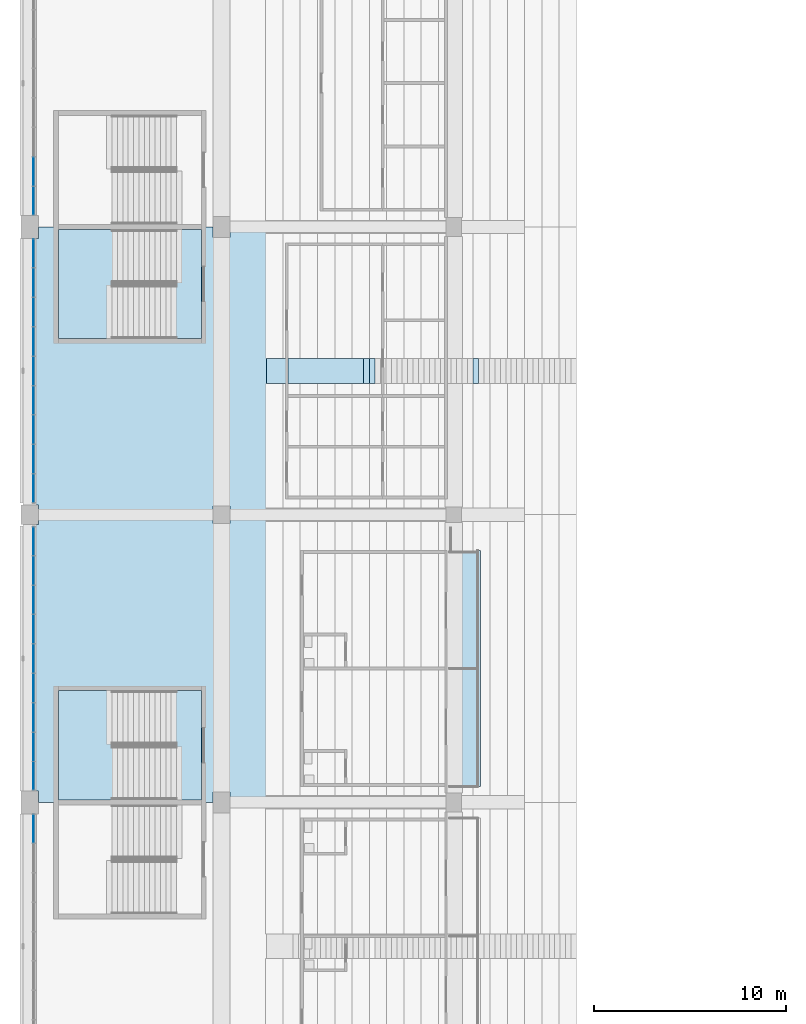
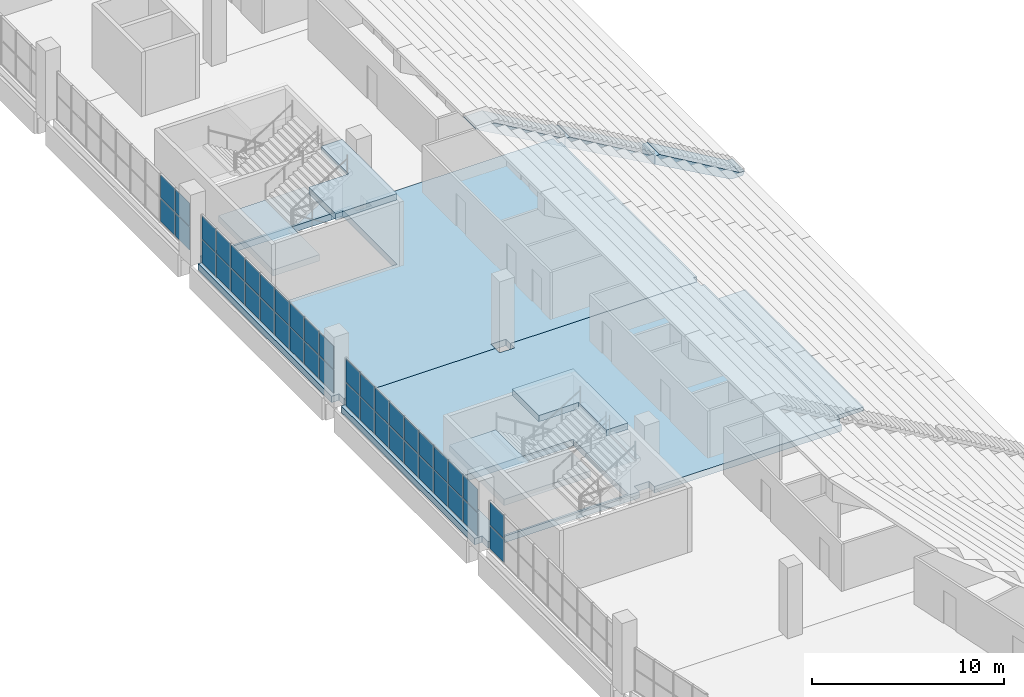
# One storey, part 68 of 249: 42 plates, 10 slabs, 6 elements without a shape of their own.
"""IFC4 building model written with IfcOpenShell, lengths in metres."""

from ifc_helpers import new_model, si_unit, direction, frame, origin, origin_2d, place, context, subcontext, project, spatial, polyline, rectangle, outline, extrude, material, layer, layer_set, type_object, element, aggregate, save


model = new_model("IFC4")

# Units and contexts
model_context = context("Model", 3, precision=1e-05, world=origin(), true_north=direction((0.0, 1.0)))
body_context = subcontext(model_context, "Body", "Model", "MODEL_VIEW")
ifc_project = project(units=[si_unit("LENGTHUNIT", "METRE"), si_unit("AREAUNIT", "SQUARE_METRE"), si_unit("VOLUMEUNIT", "CUBIC_METRE"), si_unit("PLANEANGLEUNIT", "RADIAN"), si_unit("MASSUNIT", "GRAM", prefix="KILO")], contexts=[model_context])

# Site, building, storey
site_placement = place(None, origin())
site = spatial("IfcSite", under=ifc_project, at=site_placement, CompositionType="ELEMENT")
building_placement = place(site_placement, origin())
building = spatial("IfcBuilding", under=site, at=building_placement, Name="Ogive Plaza Stadium", CompositionType="ELEMENT")
storey_placement = place(building_placement, frame((0.0, 0.0, 13.5)))
storey = spatial("IfcBuildingStorey", under=building, at=storey_placement, Name="L03", CompositionType="ELEMENT", Elevation=13.5)

# Slabs
ifc_material_1 = material(Name="Concrete C40/50", Category="concrete")
ifc_layer_1 = layer(ifc_material_1, 0.73486328125)
ifc_layer_set_1 = layer_set([ifc_layer_1], Name="Concrete C40/50")
ifc_layer_2 = layer(ifc_material_1, 0.449951171875)
ifc_layer_set_2 = layer_set([ifc_layer_2], Name="Concrete C40/50")
slab_type_1 = type_object("IfcSlabType", Name="Aisle stair slab 1300", PredefinedType="USERDEFINED", material=ifc_layer_set_2)
slab_1_placement = place(storey_placement, frame((-55.5, -15.0, -13.5), z_axis=(0.0, 0.0, 1.0), x_axis=(-1.0, 0.0, 0.0)))
element("IfcSlab", 1, at=slab_1_placement, inside=storey, type_object=slab_type_1, material=ifc_layer_set_1, Name="Aisle stair SA23U slab 1", ObjectType="AISLE STAIR SLAB", PredefinedType="USERDEFINED", context=body_context, shape_type="SweptSolid", body=[
    extrude(outline(polyline([(0.0, 14.0), (0.2958984375, 14.0), (5.10009765625, 16.825927734375), (5.39990234375, 16.825927734375), (5.39990234375, 16.300048828125), (5.359375, 16.27734375), (5.209228515625, 16.194091796875), (5.059326171875, 16.110595703125), (4.9091796875, 16.02734375), (4.75927734375, 15.944091796875), (4.609375, 15.860595703125), (4.459228515625, 15.77734375), (4.309326171875, 15.694091796875), (4.1591796875, 15.610595703125), (4.00927734375, 15.52734375), (3.859375, 15.444091796875), (3.709228515625, 15.360595703125), (3.559326171875, 15.27734375), (3.4091796875, 15.194091796875), (3.25927734375, 15.110595703125), (3.109375, 15.02734375), (2.959228515625, 14.944091796875), (2.809326171875, 14.860595703125), (2.6591796875, 14.77734375), (2.50927734375, 14.694091796875), (2.359375, 14.610595703125), (2.209228515625, 14.52734375), (2.059326171875, 14.444091796875), (1.9091796875, 14.360595703125), (1.75927734375, 14.27734375), (1.609375, 14.194091796875), (1.459228515625, 14.110595703125), (1.309326171875, 14.02734375), (1.1591796875, 13.944091796875), (1.00927734375, 13.860595703125), (0.859375, 13.77734375), (0.709228515625, 13.75), (0.559326171875, 13.75), (0.4091796875, 13.75), (0.25927734375, 13.75), (0.109375, 13.75), (0.0, 14.0)])), frame((0.0, 0.64990234375, 0.0), z_axis=(0.0, -1.0, 0.0), x_axis=(1.0, 0.0, 0.0)), (0.0, 0.0, 1.0), 1.300048828125),
])
ifc_layer_3 = layer(ifc_material_1, 0.75927734375)
ifc_layer_set_3 = layer_set([ifc_layer_3], Name="Concrete C40/50")
slab_2_placement = place(storey_placement, frame((-60.89990234375, -15.0, -13.5), z_axis=(0.0, 0.0, 1.0), x_axis=(-1.0, 0.0, 0.0)))
element("IfcSlab", 2, at=slab_2_placement, inside=storey, type_object=slab_type_1, material=ifc_layer_set_3, Name="Aisle stair SA23U slab 2", ObjectType="AISLE STAIR SLAB", PredefinedType="USERDEFINED", context=body_context, shape_type="SweptSolid", body=[
    extrude(outline(polyline([(0.0, 17.0), (0.2958984375, 17.0), (5.10009765625, 19.825927734375), (5.39990234375, 19.825927734375), (5.39990234375, 19.300048828125), (5.25, 19.216796875), (5.10009765625, 19.13330078125), (4.949951171875, 19.050048828125), (4.800048828125, 18.966796875), (4.64990234375, 18.88330078125), (4.5, 18.800048828125), (4.35009765625, 18.716796875), (4.199951171875, 18.63330078125), (4.050048828125, 18.550048828125), (3.89990234375, 18.466796875), (3.75, 18.38330078125), (3.60009765625, 18.300048828125), (3.449951171875, 18.216796875), (3.300048828125, 18.13330078125), (3.14990234375, 18.050048828125), (3.0, 17.966796875), (2.85009765625, 17.88330078125), (2.699951171875, 17.800048828125), (2.550048828125, 17.716796875), (2.39990234375, 17.63330078125), (2.25, 17.550048828125), (2.10009765625, 17.466796875), (1.949951171875, 17.38330078125), (1.800048828125, 17.300048828125), (1.64990234375, 17.216796875), (1.5, 17.13330078125), (1.35009765625, 17.050048828125), (1.199951171875, 16.966796875), (1.050048828125, 16.88330078125), (0.89990234375, 16.800048828125), (0.75, 16.716796875), (0.60009765625, 16.63330078125), (0.449951171875, 16.550048828125), (0.300048828125, 16.466796875), (0.14990234375, 16.38330078125), (0.0, 16.300048828125), (0.0, 17.0)])), frame((0.0, 0.64990234375, 0.0), z_axis=(0.0, -1.0, 0.0), x_axis=(1.0, 0.0, 0.0)), (0.0, 0.0, 1.0), 1.300048828125),
])
ifc_layer_4 = layer(ifc_material_1, 1.08056640625)
ifc_layer_set_4 = layer_set([ifc_layer_4], Name="Concrete C40/50")
slab_3_placement = place(storey_placement, frame((-66.300048828125, -15.0, -13.5), z_axis=(0.0, 0.0, 1.0), x_axis=(-1.0, 0.0, 0.0)))
element("IfcSlab", 3, at=slab_3_placement, inside=storey, type_object=slab_type_1, material=ifc_layer_set_4, Name="Aisle stair SA23U slab 3", ObjectType="AISLE STAIR SLAB", PredefinedType="USERDEFINED", context=body_context, shape_type="SweptSolid", body=[
    extrude(outline(polyline([(0.0, 20.0), (0.2958984375, 20.0), (4.25, 22.325927734375), (5.35009765625, 22.325927734375), (5.35009765625, 22.272216796875), (5.25, 22.216796875), (5.10009765625, 22.13330078125), (4.949951171875, 22.050048828125), (4.800048828125, 21.966796875), (4.64990234375, 21.88330078125), (4.5, 21.800048828125), (4.35009765625, 21.716796875), (4.199951171875, 21.63330078125), (4.050048828125, 21.550048828125), (3.89990234375, 21.466796875), (3.75, 21.38330078125), (3.60009765625, 21.300048828125), (3.449951171875, 21.216796875), (3.300048828125, 21.13330078125), (3.14990234375, 21.050048828125), (3.0, 20.966796875), (2.85009765625, 20.88330078125), (2.699951171875, 20.800048828125), (2.550048828125, 20.716796875), (2.39990234375, 20.63330078125), (2.25, 20.550048828125), (2.10009765625, 20.466796875), (1.949951171875, 20.38330078125), (1.800048828125, 20.300048828125), (1.64990234375, 20.216796875), (1.5, 20.13330078125), (1.35009765625, 20.050048828125), (1.199951171875, 19.966796875), (1.050048828125, 19.88330078125), (0.89990234375, 19.800048828125), (0.75, 19.716796875), (0.60009765625, 19.63330078125), (0.449951171875, 19.550048828125), (0.300048828125, 19.466796875), (0.14990234375, 19.38330078125), (0.0, 19.300048828125), (0.0, 20.0)])), frame((0.0, 0.64990234375, 0.0), z_axis=(0.0, -1.0, 0.0), x_axis=(1.0, 0.0, 0.0)), (0.0, 0.0, 1.0), 1.300048828125),
])
ifc_material_2 = material(Name="Concrete C40/50", Category="concrete")
ifc_layer_5 = layer(ifc_material_2, 0.25)
ifc_layer_set_5 = layer_set([ifc_layer_5], Name="Concrete C40/50")
slab_type_2 = type_object("IfcSlabType", Name="Balcony slab 250", PredefinedType="FLOOR", material=ifc_layer_set_5)
slab_4_placement = place(storey_placement, frame((0.0, 0.0, -0.25)))
element("IfcSlab", 4, at=slab_4_placement, inside=storey, type_object=slab_type_2, Name="Suite terrace slab B22", PredefinedType="FLOOR", context=body_context, shape_type="SweptSolid", body=[
    extrude(outline(polyline([(-60.5, -24.375), (-62.10009765625, -24.375), (-62.10009765625, -36.675048828125), (-60.5, -36.675048828125), (-60.5, -24.375)])), origin(), (0.0, 0.0, 1.0), 0.25),
])

# Curtain wall, plates
ifc_material_3 = material(Name="Bronze-anodised aluminium with laminated glass", Category="aluminium")
curtain_wall_type = type_object("IfcCurtainWallType", Name="Lancet curtain wall", PredefinedType="NOTDEFINED", material=ifc_material_3)
curtain_wall_1_placement = place(storey_placement, origin())
curtain_wall_1 = element("IfcCurtainWall", 5, at=curtain_wall_1_placement, inside=storey, type_object=curtain_wall_type, Name="CURTAIN WALL B21 L03", PredefinedType="NOTDEFINED")
ifc_material_4 = material(Name="Laminated glass", Category="glass")
ifc_layer_6 = layer(ifc_material_4, 0.028076171875)
ifc_layer_set_6 = layer_set([ifc_layer_6], Name="Laminated glass panel 28")
plate_type = type_object("IfcPlateType", Name="Laminated glass panel 28", PredefinedType="CURTAIN_PANEL", material=ifc_layer_set_6)
plate_1_placement = place(storey_placement, frame((-83.800048828125, -38.879150390625, 0.0498046875), z_axis=(0.0, 0.0, 1.0), x_axis=(0.0, 1.0, 0.0)))
plate_1 = element("IfcPlate", 6, at=plate_1_placement, type_object=plate_type, Name="CW-B21-L03 panel 9.1", PredefinedType="CURTAIN_PANEL", context=body_context, shape_type="SweptSolid", body=[
    extrude(rectangle(XDim=1.458251953125, YDim=0.028076171875, at=origin_2d()), origin(), (0.0, 0.0, 1.0), 1.469970703125),
])
plate_2_placement = place(storey_placement, frame((-83.800048828125, -38.879150390625, 1.56982421875), z_axis=(0.0, 0.0, 1.0), x_axis=(0.0, 1.0, 0.0)))
plate_2 = element("IfcPlate", 7, at=plate_2_placement, type_object=plate_type, Name="CW-B21-L03 panel 9.2", PredefinedType="CURTAIN_PANEL", context=body_context, shape_type="SweptSolid", body=[
    extrude(rectangle(XDim=1.458251953125, YDim=0.028076171875, at=origin_2d()), origin(), (0.0, 0.0, 1.0), 1.469970703125),
])
aggregate(curtain_wall_1, [plate_1, plate_2])

curtain_wall_2_placement = place(storey_placement, origin())
curtain_wall_2 = element("IfcCurtainWall", 8, at=curtain_wall_2_placement, inside=storey, type_object=curtain_wall_type, Name="CURTAIN WALL B22 L03", PredefinedType="NOTDEFINED")
plate_3_placement = place(storey_placement, frame((-83.800048828125, -36.120849609375, 0.0498046875), z_axis=(0.0, 0.0, 1.0), x_axis=(0.0, 1.0, 0.0)))
plate_3 = element("IfcPlate", 9, at=plate_3_placement, type_object=plate_type, Name="CW-B22-L03 panel 1.1", PredefinedType="CURTAIN_PANEL", context=body_context, shape_type="SweptSolid", body=[
    extrude(rectangle(XDim=1.458251953125, YDim=0.028076171875, at=origin_2d()), origin(), (0.0, 0.0, 1.0), 1.469970703125),
])
plate_4_placement = place(storey_placement, frame((-83.800048828125, -36.120849609375, 1.56982421875), z_axis=(0.0, 0.0, 1.0), x_axis=(0.0, 1.0, 0.0)))
plate_4 = element("IfcPlate", 10, at=plate_4_placement, type_object=plate_type, Name="CW-B22-L03 panel 1.2", PredefinedType="CURTAIN_PANEL", context=body_context, shape_type="SweptSolid", body=[
    extrude(rectangle(XDim=1.458251953125, YDim=0.028076171875, at=origin_2d()), origin(), (0.0, 0.0, 1.0), 1.469970703125),
])
plate_5_placement = place(storey_placement, frame((-83.800048828125, -34.60009765625, 0.0498046875), z_axis=(0.0, 0.0, 1.0), x_axis=(0.0, 1.0, 0.0)))
plate_5 = element("IfcPlate", 11, at=plate_5_placement, type_object=plate_type, Name="CW-B22-L03 panel 2.1", PredefinedType="CURTAIN_PANEL", context=body_context, shape_type="SweptSolid", body=[
    extrude(rectangle(XDim=1.4833984375, YDim=0.028076171875, at=origin_2d()), origin(), (0.0, 0.0, 1.0), 1.469970703125),
])
plate_6_placement = place(storey_placement, frame((-83.800048828125, -34.60009765625, 1.56982421875), z_axis=(0.0, 0.0, 1.0), x_axis=(0.0, 1.0, 0.0)))
plate_6 = element("IfcPlate", 12, at=plate_6_placement, type_object=plate_type, Name="CW-B22-L03 panel 2.2", PredefinedType="CURTAIN_PANEL", context=body_context, shape_type="SweptSolid", body=[
    extrude(rectangle(XDim=1.4833984375, YDim=0.028076171875, at=origin_2d()), origin(), (0.0, 0.0, 1.0), 1.469970703125),
])
plate_7_placement = place(storey_placement, frame((-83.800048828125, -33.066650390625, 0.0498046875), z_axis=(0.0, 0.0, 1.0), x_axis=(0.0, 1.0, 0.0)))
plate_7 = element("IfcPlate", 13, at=plate_7_placement, type_object=plate_type, Name="CW-B22-L03 panel 3.1", PredefinedType="CURTAIN_PANEL", context=body_context, shape_type="SweptSolid", body=[
    extrude(rectangle(XDim=1.4833984375, YDim=0.028076171875, at=origin_2d()), origin(), (0.0, 0.0, 1.0), 1.469970703125),
])
plate_8_placement = place(storey_placement, frame((-83.800048828125, -33.066650390625, 1.56982421875), z_axis=(0.0, 0.0, 1.0), x_axis=(0.0, 1.0, 0.0)))
plate_8 = element("IfcPlate", 14, at=plate_8_placement, type_object=plate_type, Name="CW-B22-L03 panel 3.2", PredefinedType="CURTAIN_PANEL", context=body_context, shape_type="SweptSolid", body=[
    extrude(rectangle(XDim=1.4833984375, YDim=0.028076171875, at=origin_2d()), origin(), (0.0, 0.0, 1.0), 1.469970703125),
])
plate_9_placement = place(storey_placement, frame((-83.800048828125, -31.533447265625, 0.0498046875), z_axis=(0.0, 0.0, 1.0), x_axis=(0.0, 1.0, 0.0)))
plate_9 = element("IfcPlate", 15, at=plate_9_placement, type_object=plate_type, Name="CW-B22-L03 panel 4.1", PredefinedType="CURTAIN_PANEL", context=body_context, shape_type="SweptSolid", body=[
    extrude(rectangle(XDim=1.4833984375, YDim=0.028076171875, at=origin_2d()), origin(), (0.0, 0.0, 1.0), 1.469970703125),
])
plate_10_placement = place(storey_placement, frame((-83.800048828125, -31.533447265625, 1.56982421875), z_axis=(0.0, 0.0, 1.0), x_axis=(0.0, 1.0, 0.0)))
plate_10 = element("IfcPlate", 16, at=plate_10_placement, type_object=plate_type, Name="CW-B22-L03 panel 4.2", PredefinedType="CURTAIN_PANEL", context=body_context, shape_type="SweptSolid", body=[
    extrude(rectangle(XDim=1.4833984375, YDim=0.028076171875, at=origin_2d()), origin(), (0.0, 0.0, 1.0), 1.469970703125),
])
plate_11_placement = place(storey_placement, frame((-83.800048828125, -30.0, 0.0498046875), z_axis=(0.0, 0.0, 1.0), x_axis=(0.0, 1.0, 0.0)))
plate_11 = element("IfcPlate", 17, at=plate_11_placement, type_object=plate_type, Name="CW-B22-L03 panel 5.1", PredefinedType="CURTAIN_PANEL", context=body_context, shape_type="SweptSolid", body=[
    extrude(rectangle(XDim=1.4833984375, YDim=0.028076171875, at=origin_2d()), origin(), (0.0, 0.0, 1.0), 1.469970703125),
])
plate_12_placement = place(storey_placement, frame((-83.800048828125, -30.0, 1.56982421875), z_axis=(0.0, 0.0, 1.0), x_axis=(0.0, 1.0, 0.0)))
plate_12 = element("IfcPlate", 18, at=plate_12_placement, type_object=plate_type, Name="CW-B22-L03 panel 5.2", PredefinedType="CURTAIN_PANEL", context=body_context, shape_type="SweptSolid", body=[
    extrude(rectangle(XDim=1.4833984375, YDim=0.028076171875, at=origin_2d()), origin(), (0.0, 0.0, 1.0), 1.469970703125),
])
plate_13_placement = place(storey_placement, frame((-83.800048828125, -28.466552734375, 0.0498046875), z_axis=(0.0, 0.0, 1.0), x_axis=(0.0, 1.0, 0.0)))
plate_13 = element("IfcPlate", 19, at=plate_13_placement, type_object=plate_type, Name="CW-B22-L03 panel 6.1", PredefinedType="CURTAIN_PANEL", context=body_context, shape_type="SweptSolid", body=[
    extrude(rectangle(XDim=1.4833984375, YDim=0.028076171875, at=origin_2d()), origin(), (0.0, 0.0, 1.0), 1.469970703125),
])
plate_14_placement = place(storey_placement, frame((-83.800048828125, -28.466552734375, 1.56982421875), z_axis=(0.0, 0.0, 1.0), x_axis=(0.0, 1.0, 0.0)))
plate_14 = element("IfcPlate", 20, at=plate_14_placement, type_object=plate_type, Name="CW-B22-L03 panel 6.2", PredefinedType="CURTAIN_PANEL", context=body_context, shape_type="SweptSolid", body=[
    extrude(rectangle(XDim=1.4833984375, YDim=0.028076171875, at=origin_2d()), origin(), (0.0, 0.0, 1.0), 1.469970703125),
])
plate_15_placement = place(storey_placement, frame((-83.800048828125, -26.933349609375, 0.0498046875), z_axis=(0.0, 0.0, 1.0), x_axis=(0.0, 1.0, 0.0)))
plate_15 = element("IfcPlate", 21, at=plate_15_placement, type_object=plate_type, Name="CW-B22-L03 panel 7.1", PredefinedType="CURTAIN_PANEL", context=body_context, shape_type="SweptSolid", body=[
    extrude(rectangle(XDim=1.4833984375, YDim=0.028076171875, at=origin_2d()), origin(), (0.0, 0.0, 1.0), 1.469970703125),
])
plate_16_placement = place(storey_placement, frame((-83.800048828125, -26.933349609375, 1.56982421875), z_axis=(0.0, 0.0, 1.0), x_axis=(0.0, 1.0, 0.0)))
plate_16 = element("IfcPlate", 22, at=plate_16_placement, type_object=plate_type, Name="CW-B22-L03 panel 7.2", PredefinedType="CURTAIN_PANEL", context=body_context, shape_type="SweptSolid", body=[
    extrude(rectangle(XDim=1.4833984375, YDim=0.028076171875, at=origin_2d()), origin(), (0.0, 0.0, 1.0), 1.469970703125),
])
plate_17_placement = place(storey_placement, frame((-83.800048828125, -25.39990234375, 0.0498046875), z_axis=(0.0, 0.0, 1.0), x_axis=(0.0, 1.0, 0.0)))
plate_17 = element("IfcPlate", 23, at=plate_17_placement, type_object=plate_type, Name="CW-B22-L03 panel 8.1", PredefinedType="CURTAIN_PANEL", context=body_context, shape_type="SweptSolid", body=[
    extrude(rectangle(XDim=1.4833984375, YDim=0.028076171875, at=origin_2d()), origin(), (0.0, 0.0, 1.0), 1.469970703125),
])
plate_18_placement = place(storey_placement, frame((-83.800048828125, -25.39990234375, 1.56982421875), z_axis=(0.0, 0.0, 1.0), x_axis=(0.0, 1.0, 0.0)))
plate_18 = element("IfcPlate", 24, at=plate_18_placement, type_object=plate_type, Name="CW-B22-L03 panel 8.2", PredefinedType="CURTAIN_PANEL", context=body_context, shape_type="SweptSolid", body=[
    extrude(rectangle(XDim=1.4833984375, YDim=0.028076171875, at=origin_2d()), origin(), (0.0, 0.0, 1.0), 1.469970703125),
])
plate_19_placement = place(storey_placement, frame((-83.800048828125, -23.879150390625, 0.0498046875), z_axis=(0.0, 0.0, 1.0), x_axis=(0.0, 1.0, 0.0)))
plate_19 = element("IfcPlate", 25, at=plate_19_placement, type_object=plate_type, Name="CW-B22-L03 panel 9.1", PredefinedType="CURTAIN_PANEL", context=body_context, shape_type="SweptSolid", body=[
    extrude(rectangle(XDim=1.458251953125, YDim=0.028076171875, at=origin_2d()), origin(), (0.0, 0.0, 1.0), 1.469970703125),
])
plate_20_placement = place(storey_placement, frame((-83.800048828125, -23.879150390625, 1.56982421875), z_axis=(0.0, 0.0, 1.0), x_axis=(0.0, 1.0, 0.0)))
plate_20 = element("IfcPlate", 26, at=plate_20_placement, type_object=plate_type, Name="CW-B22-L03 panel 9.2", PredefinedType="CURTAIN_PANEL", context=body_context, shape_type="SweptSolid", body=[
    extrude(rectangle(XDim=1.458251953125, YDim=0.028076171875, at=origin_2d()), origin(), (0.0, 0.0, 1.0), 1.469970703125),
])
aggregate(curtain_wall_2, [plate_3, plate_4, plate_5, plate_6, plate_7, plate_8, plate_9, plate_10, plate_11, plate_12, plate_13, plate_14, plate_15, plate_16, plate_17, plate_18, plate_19, plate_20])

curtain_wall_3_placement = place(storey_placement, origin())
curtain_wall_3 = element("IfcCurtainWall", 27, at=curtain_wall_3_placement, inside=storey, type_object=curtain_wall_type, Name="CURTAIN WALL B23 L03", PredefinedType="NOTDEFINED")
plate_21_placement = place(storey_placement, frame((-83.800048828125, -21.120849609375, 0.0498046875), z_axis=(0.0, 0.0, 1.0), x_axis=(0.0, 1.0, 0.0)))
plate_21 = element("IfcPlate", 28, at=plate_21_placement, type_object=plate_type, Name="CW-B23-L03 panel 1.1", PredefinedType="CURTAIN_PANEL", context=body_context, shape_type="SweptSolid", body=[
    extrude(rectangle(XDim=1.458251953125, YDim=0.028076171875, at=origin_2d()), origin(), (0.0, 0.0, 1.0), 1.469970703125),
])
plate_22_placement = place(storey_placement, frame((-83.800048828125, -21.120849609375, 1.56982421875), z_axis=(0.0, 0.0, 1.0), x_axis=(0.0, 1.0, 0.0)))
plate_22 = element("IfcPlate", 29, at=plate_22_placement, type_object=plate_type, Name="CW-B23-L03 panel 1.2", PredefinedType="CURTAIN_PANEL", context=body_context, shape_type="SweptSolid", body=[
    extrude(rectangle(XDim=1.458251953125, YDim=0.028076171875, at=origin_2d()), origin(), (0.0, 0.0, 1.0), 1.469970703125),
])
plate_23_placement = place(storey_placement, frame((-83.800048828125, -19.60009765625, 0.0498046875), z_axis=(0.0, 0.0, 1.0), x_axis=(0.0, 1.0, 0.0)))
plate_23 = element("IfcPlate", 30, at=plate_23_placement, type_object=plate_type, Name="CW-B23-L03 panel 2.1", PredefinedType="CURTAIN_PANEL", context=body_context, shape_type="SweptSolid", body=[
    extrude(rectangle(XDim=1.4833984375, YDim=0.028076171875, at=origin_2d()), origin(), (0.0, 0.0, 1.0), 1.469970703125),
])
plate_24_placement = place(storey_placement, frame((-83.800048828125, -19.60009765625, 1.56982421875), z_axis=(0.0, 0.0, 1.0), x_axis=(0.0, 1.0, 0.0)))
plate_24 = element("IfcPlate", 31, at=plate_24_placement, type_object=plate_type, Name="CW-B23-L03 panel 2.2", PredefinedType="CURTAIN_PANEL", context=body_context, shape_type="SweptSolid", body=[
    extrude(rectangle(XDim=1.4833984375, YDim=0.028076171875, at=origin_2d()), origin(), (0.0, 0.0, 1.0), 1.469970703125),
])
plate_25_placement = place(storey_placement, frame((-83.800048828125, -18.066650390625, 0.0498046875), z_axis=(0.0, 0.0, 1.0), x_axis=(0.0, 1.0, 0.0)))
plate_25 = element("IfcPlate", 32, at=plate_25_placement, type_object=plate_type, Name="CW-B23-L03 panel 3.1", PredefinedType="CURTAIN_PANEL", context=body_context, shape_type="SweptSolid", body=[
    extrude(rectangle(XDim=1.4833984375, YDim=0.028076171875, at=origin_2d()), origin(), (0.0, 0.0, 1.0), 1.469970703125),
])
plate_26_placement = place(storey_placement, frame((-83.800048828125, -18.066650390625, 1.56982421875), z_axis=(0.0, 0.0, 1.0), x_axis=(0.0, 1.0, 0.0)))
plate_26 = element("IfcPlate", 33, at=plate_26_placement, type_object=plate_type, Name="CW-B23-L03 panel 3.2", PredefinedType="CURTAIN_PANEL", context=body_context, shape_type="SweptSolid", body=[
    extrude(rectangle(XDim=1.4833984375, YDim=0.028076171875, at=origin_2d()), origin(), (0.0, 0.0, 1.0), 1.469970703125),
])
plate_27_placement = place(storey_placement, frame((-83.800048828125, -16.533447265625, 0.0498046875), z_axis=(0.0, 0.0, 1.0), x_axis=(0.0, 1.0, 0.0)))
plate_27 = element("IfcPlate", 34, at=plate_27_placement, type_object=plate_type, Name="CW-B23-L03 panel 4.1", PredefinedType="CURTAIN_PANEL", context=body_context, shape_type="SweptSolid", body=[
    extrude(rectangle(XDim=1.4833984375, YDim=0.028076171875, at=origin_2d()), origin(), (0.0, 0.0, 1.0), 1.469970703125),
])
plate_28_placement = place(storey_placement, frame((-83.800048828125, -16.533447265625, 1.56982421875), z_axis=(0.0, 0.0, 1.0), x_axis=(0.0, 1.0, 0.0)))
plate_28 = element("IfcPlate", 35, at=plate_28_placement, type_object=plate_type, Name="CW-B23-L03 panel 4.2", PredefinedType="CURTAIN_PANEL", context=body_context, shape_type="SweptSolid", body=[
    extrude(rectangle(XDim=1.4833984375, YDim=0.028076171875, at=origin_2d()), origin(), (0.0, 0.0, 1.0), 1.469970703125),
])
plate_29_placement = place(storey_placement, frame((-83.800048828125, -15.0, 0.0498046875), z_axis=(0.0, 0.0, 1.0), x_axis=(0.0, 1.0, 0.0)))
plate_29 = element("IfcPlate", 36, at=plate_29_placement, type_object=plate_type, Name="CW-B23-L03 panel 5.1", PredefinedType="CURTAIN_PANEL", context=body_context, shape_type="SweptSolid", body=[
    extrude(rectangle(XDim=1.4833984375, YDim=0.028076171875, at=origin_2d()), origin(), (0.0, 0.0, 1.0), 1.469970703125),
])
plate_30_placement = place(storey_placement, frame((-83.800048828125, -15.0, 1.56982421875), z_axis=(0.0, 0.0, 1.0), x_axis=(0.0, 1.0, 0.0)))
plate_30 = element("IfcPlate", 37, at=plate_30_placement, type_object=plate_type, Name="CW-B23-L03 panel 5.2", PredefinedType="CURTAIN_PANEL", context=body_context, shape_type="SweptSolid", body=[
    extrude(rectangle(XDim=1.4833984375, YDim=0.028076171875, at=origin_2d()), origin(), (0.0, 0.0, 1.0), 1.469970703125),
])
plate_31_placement = place(storey_placement, frame((-83.800048828125, -13.466552734375, 0.0498046875), z_axis=(0.0, 0.0, 1.0), x_axis=(0.0, 1.0, 0.0)))
plate_31 = element("IfcPlate", 38, at=plate_31_placement, type_object=plate_type, Name="CW-B23-L03 panel 6.1", PredefinedType="CURTAIN_PANEL", context=body_context, shape_type="SweptSolid", body=[
    extrude(rectangle(XDim=1.4833984375, YDim=0.028076171875, at=origin_2d()), origin(), (0.0, 0.0, 1.0), 1.469970703125),
])
plate_32_placement = place(storey_placement, frame((-83.800048828125, -13.466552734375, 1.56982421875), z_axis=(0.0, 0.0, 1.0), x_axis=(0.0, 1.0, 0.0)))
plate_32 = element("IfcPlate", 39, at=plate_32_placement, type_object=plate_type, Name="CW-B23-L03 panel 6.2", PredefinedType="CURTAIN_PANEL", context=body_context, shape_type="SweptSolid", body=[
    extrude(rectangle(XDim=1.4833984375, YDim=0.028076171875, at=origin_2d()), origin(), (0.0, 0.0, 1.0), 1.469970703125),
])
plate_33_placement = place(storey_placement, frame((-83.800048828125, -11.933349609375, 0.0498046875), z_axis=(0.0, 0.0, 1.0), x_axis=(0.0, 1.0, 0.0)))
plate_33 = element("IfcPlate", 40, at=plate_33_placement, type_object=plate_type, Name="CW-B23-L03 panel 7.1", PredefinedType="CURTAIN_PANEL", context=body_context, shape_type="SweptSolid", body=[
    extrude(rectangle(XDim=1.4833984375, YDim=0.028076171875, at=origin_2d()), origin(), (0.0, 0.0, 1.0), 1.469970703125),
])
plate_34_placement = place(storey_placement, frame((-83.800048828125, -11.933349609375, 1.56982421875), z_axis=(0.0, 0.0, 1.0), x_axis=(0.0, 1.0, 0.0)))
plate_34 = element("IfcPlate", 41, at=plate_34_placement, type_object=plate_type, Name="CW-B23-L03 panel 7.2", PredefinedType="CURTAIN_PANEL", context=body_context, shape_type="SweptSolid", body=[
    extrude(rectangle(XDim=1.4833984375, YDim=0.028076171875, at=origin_2d()), origin(), (0.0, 0.0, 1.0), 1.469970703125),
])
plate_35_placement = place(storey_placement, frame((-83.800048828125, -10.39990234375, 0.0498046875), z_axis=(0.0, 0.0, 1.0), x_axis=(0.0, 1.0, 0.0)))
plate_35 = element("IfcPlate", 42, at=plate_35_placement, type_object=plate_type, Name="CW-B23-L03 panel 8.1", PredefinedType="CURTAIN_PANEL", context=body_context, shape_type="SweptSolid", body=[
    extrude(rectangle(XDim=1.4833984375, YDim=0.028076171875, at=origin_2d()), origin(), (0.0, 0.0, 1.0), 1.469970703125),
])
plate_36_placement = place(storey_placement, frame((-83.800048828125, -10.39990234375, 1.56982421875), z_axis=(0.0, 0.0, 1.0), x_axis=(0.0, 1.0, 0.0)))
plate_36 = element("IfcPlate", 43, at=plate_36_placement, type_object=plate_type, Name="CW-B23-L03 panel 8.2", PredefinedType="CURTAIN_PANEL", context=body_context, shape_type="SweptSolid", body=[
    extrude(rectangle(XDim=1.4833984375, YDim=0.028076171875, at=origin_2d()), origin(), (0.0, 0.0, 1.0), 1.469970703125),
])
plate_37_placement = place(storey_placement, frame((-83.800048828125, -8.879150390625, 0.0498046875), z_axis=(0.0, 0.0, 1.0), x_axis=(0.0, 1.0, 0.0)))
plate_37 = element("IfcPlate", 44, at=plate_37_placement, type_object=plate_type, Name="CW-B23-L03 panel 9.1", PredefinedType="CURTAIN_PANEL", context=body_context, shape_type="SweptSolid", body=[
    extrude(rectangle(XDim=1.458251953125, YDim=0.028076171875, at=origin_2d()), origin(), (0.0, 0.0, 1.0), 1.469970703125),
])
plate_38_placement = place(storey_placement, frame((-83.800048828125, -8.879150390625, 1.56982421875), z_axis=(0.0, 0.0, 1.0), x_axis=(0.0, 1.0, 0.0)))
plate_38 = element("IfcPlate", 45, at=plate_38_placement, type_object=plate_type, Name="CW-B23-L03 panel 9.2", PredefinedType="CURTAIN_PANEL", context=body_context, shape_type="SweptSolid", body=[
    extrude(rectangle(XDim=1.458251953125, YDim=0.028076171875, at=origin_2d()), origin(), (0.0, 0.0, 1.0), 1.469970703125),
])
aggregate(curtain_wall_3, [plate_21, plate_22, plate_23, plate_24, plate_25, plate_26, plate_27, plate_28, plate_29, plate_30, plate_31, plate_32, plate_33, plate_34, plate_35, plate_36, plate_37, plate_38])

curtain_wall_4_placement = place(storey_placement, origin())
curtain_wall_4 = element("IfcCurtainWall", 46, at=curtain_wall_4_placement, inside=storey, type_object=curtain_wall_type, Name="CURTAIN WALL B24 L03", PredefinedType="NOTDEFINED")
plate_39_placement = place(storey_placement, frame((-83.800048828125, -6.120849609375, 0.0498046875), z_axis=(0.0, 0.0, 1.0), x_axis=(0.0, 1.0, 0.0)))
plate_39 = element("IfcPlate", 47, at=plate_39_placement, type_object=plate_type, Name="CW-B24-L03 panel 1.1", PredefinedType="CURTAIN_PANEL", context=body_context, shape_type="SweptSolid", body=[
    extrude(rectangle(XDim=1.458251953125, YDim=0.028076171875, at=origin_2d()), origin(), (0.0, 0.0, 1.0), 1.469970703125),
])
plate_40_placement = place(storey_placement, frame((-83.800048828125, -6.120849609375, 1.56982421875), z_axis=(0.0, 0.0, 1.0), x_axis=(0.0, 1.0, 0.0)))
plate_40 = element("IfcPlate", 48, at=plate_40_placement, type_object=plate_type, Name="CW-B24-L03 panel 1.2", PredefinedType="CURTAIN_PANEL", context=body_context, shape_type="SweptSolid", body=[
    extrude(rectangle(XDim=1.458251953125, YDim=0.028076171875, at=origin_2d()), origin(), (0.0, 0.0, 1.0), 1.469970703125),
])
plate_41_placement = place(storey_placement, frame((-83.800048828125, -4.60009765625, 0.0498046875), z_axis=(0.0, 0.0, 1.0), x_axis=(0.0, 1.0, 0.0)))
plate_41 = element("IfcPlate", 49, at=plate_41_placement, type_object=plate_type, Name="CW-B24-L03 panel 2.1", PredefinedType="CURTAIN_PANEL", context=body_context, shape_type="SweptSolid", body=[
    extrude(rectangle(XDim=1.4833984375, YDim=0.028076171875, at=origin_2d()), origin(), (0.0, 0.0, 1.0), 1.469970703125),
])
plate_42_placement = place(storey_placement, frame((-83.800048828125, -4.60009765625, 1.56982421875), z_axis=(0.0, 0.0, 1.0), x_axis=(0.0, 1.0, 0.0)))
plate_42 = element("IfcPlate", 50, at=plate_42_placement, type_object=plate_type, Name="CW-B24-L03 panel 2.2", PredefinedType="CURTAIN_PANEL", context=body_context, shape_type="SweptSolid", body=[
    extrude(rectangle(XDim=1.4833984375, YDim=0.028076171875, at=origin_2d()), origin(), (0.0, 0.0, 1.0), 1.469970703125),
])
aggregate(curtain_wall_4, [plate_39, plate_40, plate_41, plate_42])

# Slabs
ifc_material_5 = material(Name="Concrete C40/50", Category="concrete")
ifc_layer_7 = layer(ifc_material_5, 0.409912109375)
ifc_layer_set_7 = layer_set([ifc_layer_7], Name="Concrete C40/50")
slab_type_3 = type_object("IfcSlabType", Name="RC floor slab 410", PredefinedType="FLOOR", material=ifc_layer_set_7)
slab_5_placement = place(storey_placement, frame((0.0, 0.0, -0.409912109375)))
element("IfcSlab", 51, at=slab_5_placement, inside=storey, type_object=slab_type_3, Name="Floor slab L03 B22", PredefinedType="FLOOR", context=body_context, shape_type="SweptSolid", body=[
    extrude(outline(polyline([(-73.550048828125, -22.5), (-73.550048828125, -22.949951171875), (-74.449951171875, -22.949951171875), (-74.449951171875, -22.5), (-83.550048828125, -22.5), (-83.550048828125, -23.0), (-84.0, -23.0), (-84.0, -36.89990234375), (-83.550048828125, -36.89990234375), (-83.550048828125, -37.5), (-74.449951171875, -37.5), (-74.449951171875, -36.949951171875), (-73.550048828125, -36.949951171875), (-73.550048828125, -37.5), (-62.300048828125, -37.5), (-62.300048828125, -37.0), (-62.10009765625, -37.0), (-62.10009765625, -22.89990234375), (-62.300048828125, -22.89990234375), (-62.300048828125, -22.5), (-73.550048828125, -22.5)]), holes=[polyline([(-75.050048828125, -37.375), (-75.050048828125, -31.675048828125), (-82.510009765625, -31.675048828125), (-82.510009765625, -37.375), (-75.050048828125, -37.375)])]), origin(), (0.0, 0.0, 1.0), 0.409912109375),
])
slab_6_placement = place(storey_placement, frame((0.0, 0.0, -0.409912109375)))
element("IfcSlab", 52, at=slab_6_placement, inside=storey, type_object=slab_type_3, Name="Floor slab L03 B23", PredefinedType="FLOOR", context=body_context, shape_type="SweptSolid", body=[
    extrude(outline(polyline([(-73.550048828125, -7.5), (-73.550048828125, -8.050048828125), (-74.449951171875, -8.050048828125), (-74.449951171875, -7.5), (-83.550048828125, -7.5), (-83.550048828125, -8.10009765625), (-84.0, -8.10009765625), (-84.0, -22.0), (-83.550048828125, -22.0), (-83.550048828125, -22.5), (-74.449951171875, -22.5), (-74.449951171875, -22.050048828125), (-73.550048828125, -22.050048828125), (-73.550048828125, -22.5), (-62.300048828125, -22.5), (-62.300048828125, -22.10009765625), (-62.10009765625, -22.10009765625), (-62.10009765625, -8.0), (-62.300048828125, -8.0), (-62.300048828125, -7.5), (-73.550048828125, -7.5)]), holes=[polyline([(-75.050048828125, -13.324951171875), (-75.050048828125, -7.625), (-82.510009765625, -7.625), (-82.510009765625, -13.324951171875), (-75.050048828125, -13.324951171875)])]), origin(), (0.0, 0.0, 1.0), 0.409912109375),
])

# Stair, slabs
ifc_material_6 = material(Name="Concrete C40/50", Category="concrete")
stair_type = type_object("IfcStairType", Name="Exit stair", PredefinedType="STRAIGHT_RUN_STAIR", material=ifc_material_6)
stair_1_placement = place(storey_placement, origin())
stair_1 = element("IfcStair", 53, at=stair_1_placement, inside=storey, type_object=stair_type, Name="Exit stair ST22A L03 to L04", PredefinedType="STRAIGHT_RUN_STAIR")
ifc_material_7 = material(Name="Concrete C40/50", Category="concrete")
ifc_layer_8 = layer(ifc_material_7, 0.39990234375)
ifc_layer_set_8 = layer_set([ifc_layer_8], Name="Concrete C40/50")
slab_type_4 = type_object("IfcSlabType", Name="Stair landing", PredefinedType="LANDING", material=ifc_layer_set_8)
slab_7_placement = place(storey_placement, frame((0.0, 0.0, 1.85009765625)))
slab_7 = element("IfcSlab", 54, at=slab_7_placement, type_object=slab_type_4, Name="ST22A landing 1", PredefinedType="LANDING", context=body_context, shape_type="SweptSolid", body=[
    extrude(outline(polyline([(-82.510009765625, -37.375), (-82.510009765625, -31.675048828125), (-79.7099609375, -31.675048828125), (-79.7099609375, -34.574951171875), (-77.31005859375, -34.574951171875), (-77.31005859375, -37.375), (-79.7099609375, -37.375), (-82.510009765625, -37.375)])), origin(), (0.0, 0.0, 1.0), 0.39990234375),
])
slab_8_placement = place(storey_placement, frame((0.0, 0.0, 4.10009765625)))
slab_8 = element("IfcSlab", 55, at=slab_8_placement, type_object=slab_type_4, Name="ST22A landing 2", PredefinedType="LANDING", context=body_context, shape_type="SweptSolid", body=[
    extrude(outline(polyline([(-78.75, -34.47509765625), (-78.75, -31.675048828125), (-76.35009765625, -31.675048828125), (-75.050048828125, -31.675048828125), (-75.050048828125, -37.375), (-76.35009765625, -37.375), (-76.35009765625, -34.47509765625), (-78.75, -34.47509765625)])), origin(), (0.0, 0.0, 1.0), 0.39990234375),
])
aggregate(stair_1, [slab_7, slab_8])

stair_2_placement = place(storey_placement, origin())
stair_2 = element("IfcStair", 56, at=stair_2_placement, inside=storey, type_object=stair_type, Name="Exit stair ST24B L03 to L04", PredefinedType="STRAIGHT_RUN_STAIR")
slab_9_placement = place(storey_placement, frame((0.0, 0.0, 1.85009765625)))
slab_9 = element("IfcSlab", 57, at=slab_9_placement, type_object=slab_type_4, Name="ST24B landing 1", PredefinedType="LANDING", context=body_context, shape_type="SweptSolid", body=[
    extrude(outline(polyline([(-77.31005859375, -7.625), (-77.31005859375, -10.425048828125), (-79.7099609375, -10.425048828125), (-79.7099609375, -13.324951171875), (-82.510009765625, -13.324951171875), (-82.510009765625, -7.625), (-79.7099609375, -7.625), (-77.31005859375, -7.625)])), origin(), (0.0, 0.0, 1.0), 0.39990234375),
])
slab_10_placement = place(storey_placement, frame((0.0, 0.0, 4.10009765625)))
slab_10 = element("IfcSlab", 58, at=slab_10_placement, type_object=slab_type_4, Name="ST24B landing 2", PredefinedType="LANDING", context=body_context, shape_type="SweptSolid", body=[
    extrude(outline(polyline([(-76.35009765625, -7.625), (-75.050048828125, -7.625), (-75.050048828125, -13.324951171875), (-76.35009765625, -13.324951171875), (-78.75, -13.324951171875), (-78.75, -10.52490234375), (-76.35009765625, -10.52490234375), (-76.35009765625, -7.625)])), origin(), (0.0, 0.0, 1.0), 0.39990234375),
])
aggregate(stair_2, [slab_9, slab_10])

save(model, "model.ifc")
